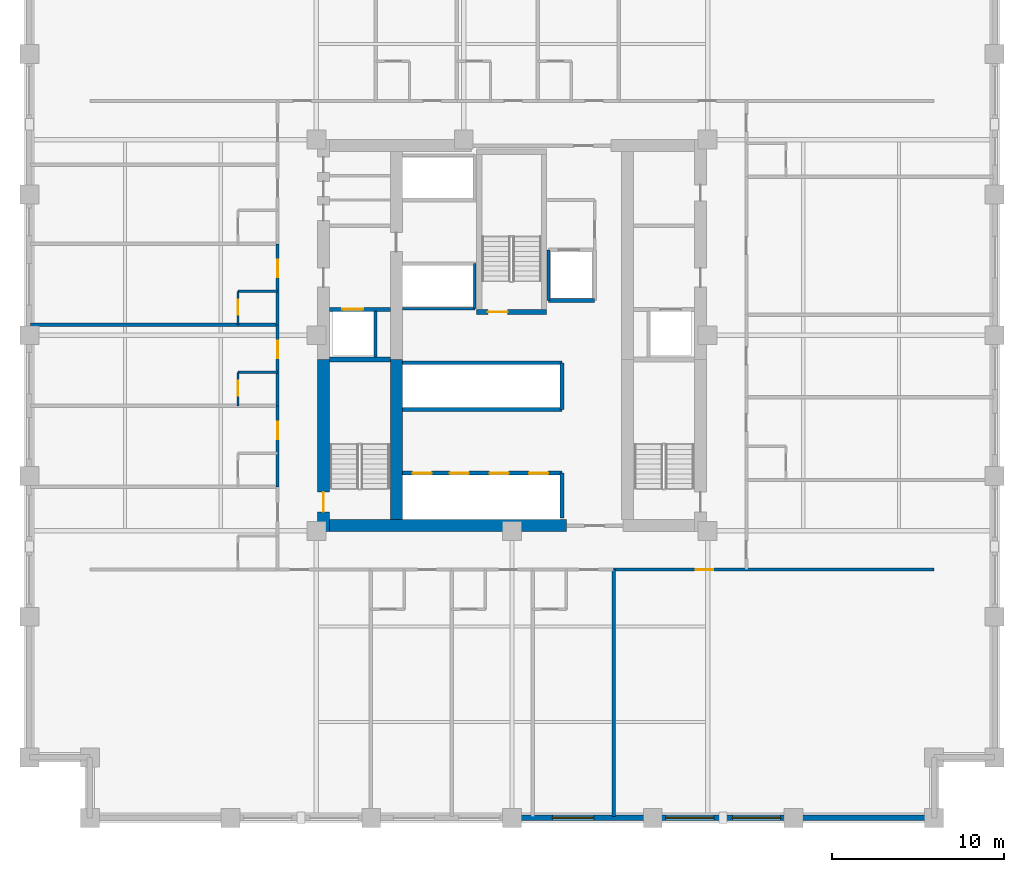
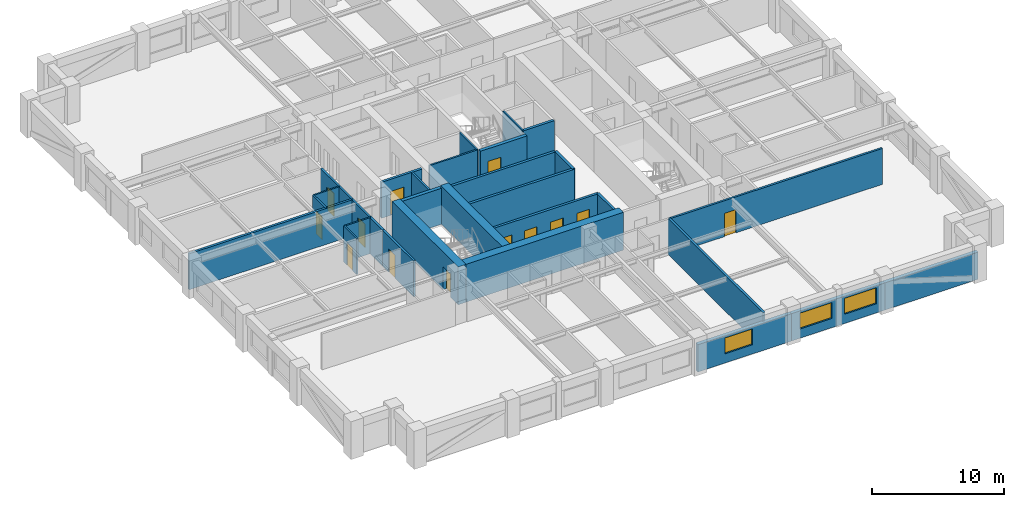
# One storey, part 3 of 8: 29 walls, 13 doors, 3 windows, 16 openings.
"""IFC4 building model written with IfcOpenShell, lengths in metres."""

from ifc_helpers import new_model, si_unit, direction, frame, frame_2d, origin, place, context, subcontext, project, spatial, rectangle, extrude, material, layer, layer_set, type_object, element, fill, save


model = new_model("IFC4")

# Units and contexts
model_context = context("Model", 3, precision=1e-05, world=origin(), true_north=direction((0.0, 1.0)))
body_context = subcontext(model_context, "Body", "Model", "MODEL_VIEW")
ifc_project = project(units=[si_unit("LENGTHUNIT", "METRE"), si_unit("AREAUNIT", "SQUARE_METRE"), si_unit("VOLUMEUNIT", "CUBIC_METRE"), si_unit("PLANEANGLEUNIT", "RADIAN"), si_unit("MASSUNIT", "GRAM", prefix="KILO")], contexts=[model_context])

# Site, building, storey
site_placement = place(None, origin())
site = spatial("IfcSite", under=ifc_project, at=site_placement, CompositionType="ELEMENT")
building_placement = place(site_placement, origin())
building = spatial("IfcBuilding", under=site, at=building_placement, Name="Nhamokura Convention Tower", CompositionType="ELEMENT")
storey_placement = place(building_placement, frame((0.0, 0.0, 45.85009765625)))
storey = spatial("IfcBuildingStorey", under=building, at=storey_placement, Name="L09", CompositionType="ELEMENT", Elevation=45.85009765625)

# Wall
ifc_material_1 = material(Name="Moisture-resistant tile-backer partition", Category="masonry")
ifc_layer_1 = layer(ifc_material_1, 0.139892578125)
ifc_layer_set_1 = layer_set([ifc_layer_1], Name="BathroomWetWall_140")
wall_type_1 = type_object("IfcWallType", Name="BathroomWetWall_140", PredefinedType="STANDARD", material=ifc_layer_set_1)
wall_1_placement = place(storey_placement, frame((16.10009765625, 29.85009765625, 0.0), z_axis=(0.0, 0.0, 1.0), x_axis=(1.0, 0.0, 0.0)))
element("IfcWall", 1, at=wall_1_placement, inside=storey, type_object=wall_type_1, Name="L09 Wall INT-L09-BW-W02N", PredefinedType="STANDARD", context=body_context, shape_type="SweptSolid", body=[
    extrude(rectangle(XDim=2.2998046875, YDim=0.139892578125, at=frame_2d((1.14990234375, 0.0))), origin(), (0.0, 0.0, 1.0), 3.31982421875),
])

# Wall, opening, door
wall_2_placement = place(storey_placement, frame((16.10009765625, 27.89990234375, 0.0), z_axis=(0.0, 0.0, 1.0), x_axis=(0.0, 1.0, 0.0)))
wall_2 = element("IfcWall", 2, at=wall_2_placement, inside=storey, type_object=wall_type_1, Name="L09 Wall INT-L09-BW-W02W", PredefinedType="STANDARD", context=body_context, shape_type="SweptSolid", body=[
    extrude(rectangle(XDim=1.9501953125, YDim=0.139892578125, at=frame_2d((0.97509765625, 0.0))), origin(), (0.0, 0.0, 1.0), 3.31982421875),
])
opening_1_placement = place(wall_2_placement, frame((0.580078125, 0.0, 0.0)))
opening_1 = element("IfcOpeningElement", 3, at=opening_1_placement, cuts=wall_2, Name="Opening D-11", PredefinedType="OPENING", context=body_context, shape_type="SweptSolid", body=[
    extrude(rectangle(XDim=0.8798828125, YDim=2.10009765625, at=frame_2d((0.43994140625, 1.050048828125))), frame((0.0, 0.079833984375, 0.0), z_axis=(0.0, -1.0, 0.0), x_axis=(1.0, 0.0, 0.0)), (0.0, 0.0, 1.0), 0.159912109375),
])
ifc_material_2 = material(Name="Solid oak hardwood", Category="wood")
door_type_1 = type_object("IfcDoorType", Name="BathroomDoor_880", OperationType="NOTDEFINED", PredefinedType="DOOR", material=ifc_material_2)
door_1_placement = place(opening_1_placement, origin())
door_1 = element("IfcDoor", 4, at=door_1_placement, inside=storey, type_object=door_type_1, Name="L09 Guest Room En-suite Door", OperationType="SINGLE_SWING_RIGHT", OverallHeight=2.10009765625, OverallWidth=0.8798828125, PredefinedType="DOOR", context=body_context, shape_type="SweptSolid", body=[
    extrude(rectangle(XDim=0.8798828125, YDim=2.10009765625, at=frame_2d((0.43994140625, 1.050048828125))), frame((0.0, 0.02490234375, 0.0), z_axis=(0.0, -1.0, 0.0), x_axis=(1.0, 0.0, 0.0)), (0.0, 0.0, 1.0), 0.050048828125),
])
fill(opening_1, door_1)

# Wall
wall_3_placement = place(storey_placement, frame((16.10009765625, 34.550048828125, 0.0), z_axis=(0.0, 0.0, 1.0), x_axis=(1.0, 0.0, 0.0)))
element("IfcWall", 5, at=wall_3_placement, inside=storey, type_object=wall_type_1, Name="L09 Wall INT-L09-BW-W03N", PredefinedType="STANDARD", context=body_context, shape_type="SweptSolid", body=[
    extrude(rectangle(XDim=2.2998046875, YDim=0.139892578125, at=frame_2d((1.14990234375, 0.0))), origin(), (0.0, 0.0, 1.0), 3.31982421875),
])

# Wall, opening, door
wall_4_placement = place(storey_placement, frame((16.10009765625, 32.60009765625, 0.0), z_axis=(0.0, 0.0, 1.0), x_axis=(0.0, 1.0, 0.0)))
wall_4 = element("IfcWall", 6, at=wall_4_placement, inside=storey, type_object=wall_type_1, Name="L09 Wall INT-L09-BW-W03W", PredefinedType="STANDARD", context=body_context, shape_type="SweptSolid", body=[
    extrude(rectangle(XDim=1.949951171875, YDim=0.139892578125, at=frame_2d((0.97509765625, 0.0))), origin(), (0.0, 0.0, 1.0), 3.31982421875),
])
opening_2_placement = place(wall_4_placement, frame((0.580078125, 0.0, 0.0)))
opening_2 = element("IfcOpeningElement", 7, at=opening_2_placement, cuts=wall_4, Name="Opening D-11", PredefinedType="OPENING", context=body_context, shape_type="SweptSolid", body=[
    extrude(rectangle(XDim=0.8798828125, YDim=2.10009765625, at=frame_2d((0.43994140625, 1.050048828125))), frame((0.0, 0.079833984375, 0.0), z_axis=(0.0, -1.0, 0.0), x_axis=(1.0, 0.0, 0.0)), (0.0, 0.0, 1.0), 0.159912109375),
])
door_2_placement = place(opening_2_placement, origin())
door_2 = element("IfcDoor", 8, at=door_2_placement, inside=storey, type_object=door_type_1, Name="L09 Club Room En-suite Door", OperationType="SINGLE_SWING_RIGHT", OverallHeight=2.10009765625, OverallWidth=0.8798828125, PredefinedType="DOOR", context=body_context, shape_type="SweptSolid", body=[
    extrude(rectangle(XDim=0.8798828125, YDim=2.10009765625, at=frame_2d((0.43994140625, 1.050048828125))), frame((0.0, 0.02490234375, 0.0), z_axis=(0.0, -1.0, 0.0), x_axis=(1.0, 0.0, 0.0)), (0.0, 0.0, 1.0), 0.050048828125),
])
fill(opening_2, door_2)

# Wall, opening, window
ifc_material_3 = material(Name="Bronze-pigmented precast concrete C45/55", Category="concrete")
ifc_layer_2 = layer(ifc_material_3, 0.320068359375)
ifc_layer_set_2 = layer_set([ifc_layer_2], Name="BronzePrecastSpandrel_320")
wall_type_2 = type_object("IfcWallType", Name="BronzePrecastSpandrel_320", PredefinedType="USERDEFINED", material=ifc_layer_set_2)
wall_5_placement = place(storey_placement, frame((40.166748046875, 4.0, 0.0), z_axis=(0.0, 0.0, 1.0), x_axis=(-1.0, 0.0, 0.0)))
wall_5 = element("IfcWall", 9, at=wall_5_placement, inside=storey, type_object=wall_type_2, Name="L09 Masonry-Frame Wall SOUTH 3", ObjectType="SPANDREL_WALL", PredefinedType="USERDEFINED", context=body_context, shape_type="SweptSolid", body=[
    extrude(rectangle(XDim=8.166748046875, YDim=0.320068359375, at=frame_2d((4.08349609375, 0.0))), origin(), (0.0, 0.0, 1.0), 2.52001953125),
])
opening_3_placement = place(wall_5_placement, frame((3.416748046875, 0.0, 0.85009765625)))
opening_3 = element("IfcOpeningElement", 10, at=opening_3_placement, cuts=wall_5, Name="Opening W-03", PredefinedType="OPENING", context=body_context, shape_type="SweptSolid", body=[
    extrude(rectangle(XDim=2.39990234375, YDim=1.469970703125, at=frame_2d((1.199951171875, 0.73486328125))), frame((0.0, 0.169921875, 0.0), z_axis=(0.0, -1.0, 0.0), x_axis=(1.0, 0.0, 0.0)), (0.0, 0.0, 1.0), 0.340087890625),
])
ifc_material_4 = material(Name="Solar-control bronze low-E double glass", Category="glass")
window_type_1 = type_object("IfcWindowType", Name="HotelBayWindow_2400", PartitioningType="DOUBLE_PANEL_VERTICAL", PredefinedType="WINDOW", material=ifc_material_4)
window_1_placement = place(opening_3_placement, origin())
window_1 = element("IfcWindow", 11, at=window_1_placement, inside=storey, type_object=window_type_1, Name="L09 Facade Window SOUTH 3-2", OverallHeight=1.469970703125, OverallWidth=2.39990234375, PartitioningType="SINGLE_PANEL", PredefinedType="WINDOW", context=body_context, shape_type="SweptSolid", body=[
    extrude(rectangle(XDim=2.39990234375, YDim=1.469970703125, at=frame_2d((1.199951171875, 0.73486328125))), frame((0.0, 0.030029296875, 0.0), z_axis=(0.0, -1.0, 0.0), x_axis=(1.0, 0.0, 0.0)), (0.0, 0.0, 1.0), 0.06005859375),
])
fill(opening_3, window_1)

# Wall, openings, windows
wall_6_placement = place(storey_placement, frame((48.333251953125, 4.0, 0.0), z_axis=(0.0, 0.0, 1.0), x_axis=(-1.0, 0.0, 0.0)))
wall_6 = element("IfcWall", 12, at=wall_6_placement, inside=storey, type_object=wall_type_2, Name="L09 Masonry-Frame Wall SOUTH 4", ObjectType="SPANDREL_WALL", PredefinedType="USERDEFINED", context=body_context, shape_type="SweptSolid", body=[
    extrude(rectangle(XDim=8.16650390625, YDim=0.320068359375, at=frame_2d((4.083251953125, 0.0))), origin(), (0.0, 0.0, 1.0), 2.52001953125),
])
opening_4_placement = place(wall_6_placement, frame((0.74169921875, 0.0, 0.85009765625)))
opening_4 = element("IfcOpeningElement", 13, at=opening_4_placement, cuts=wall_6, Name="Opening W-04", PredefinedType="OPENING", context=body_context, shape_type="SweptSolid", body=[
    extrude(rectangle(XDim=2.800048828125, YDim=1.469970703125, at=frame_2d((1.39990234375, 0.73486328125))), frame((0.0, 0.169921875, 0.0), z_axis=(0.0, -1.0, 0.0), x_axis=(1.0, 0.0, 0.0)), (0.0, 0.0, 1.0), 0.340087890625),
])
opening_5_placement = place(wall_6_placement, frame((4.625, 0.0, 0.85009765625)))
opening_5 = element("IfcOpeningElement", 14, at=opening_5_placement, cuts=wall_6, Name="Opening W-04", PredefinedType="OPENING", context=body_context, shape_type="SweptSolid", body=[
    extrude(rectangle(XDim=2.800048828125, YDim=1.469970703125, at=frame_2d((1.39990234375, 0.73486328125))), frame((0.0, 0.169921875, 0.0), z_axis=(0.0, -1.0, 0.0), x_axis=(1.0, 0.0, 0.0)), (0.0, 0.0, 1.0), 0.340087890625),
])
ifc_material_5 = material(Name="Solar-control bronze low-E double glass", Category="glass")
window_type_2 = type_object("IfcWindowType", Name="HotelSuiteWindow_2800", PartitioningType="DOUBLE_PANEL_VERTICAL", PredefinedType="WINDOW", material=ifc_material_5)
window_2_placement = place(opening_4_placement, origin())
window_2 = element("IfcWindow", 15, at=window_2_placement, inside=storey, type_object=window_type_2, Name="L09 Facade Window SOUTH 4-1", OverallHeight=1.469970703125, OverallWidth=2.800048828125, PartitioningType="SINGLE_PANEL", PredefinedType="WINDOW", context=body_context, shape_type="SweptSolid", body=[
    extrude(rectangle(XDim=2.800048828125, YDim=1.469970703125, at=frame_2d((1.39990234375, 0.73486328125))), frame((0.0, 0.030029296875, 0.0), z_axis=(0.0, -1.0, 0.0), x_axis=(1.0, 0.0, 0.0)), (0.0, 0.0, 1.0), 0.06005859375),
])
fill(opening_4, window_2)
window_3_placement = place(opening_5_placement, origin())
window_3 = element("IfcWindow", 16, at=window_3_placement, inside=storey, type_object=window_type_2, Name="L09 Facade Window SOUTH 4-2", OverallHeight=1.469970703125, OverallWidth=2.800048828125, PartitioningType="SINGLE_PANEL", PredefinedType="WINDOW", context=body_context, shape_type="SweptSolid", body=[
    extrude(rectangle(XDim=2.800048828125, YDim=1.469970703125, at=frame_2d((1.39990234375, 0.73486328125))), frame((0.0, 0.030029296875, 0.0), z_axis=(0.0, -1.0, 0.0), x_axis=(1.0, 0.0, 0.0)), (0.0, 0.0, 1.0), 0.06005859375),
])
fill(opening_5, window_3)

# Wall
wall_7_placement = place(storey_placement, frame((56.5, 4.0, 0.0), z_axis=(0.0, 0.0, 1.0), x_axis=(-1.0, 0.0, 0.0)))
element("IfcWall", 17, at=wall_7_placement, inside=storey, type_object=wall_type_2, Name="L09 Braced-Bay Precast Wall SOUTH 5", ObjectType="SPANDREL_WALL", PredefinedType="USERDEFINED", context=body_context, shape_type="SweptSolid", body=[
    extrude(rectangle(XDim=8.166748046875, YDim=0.320068359375, at=frame_2d((4.08349609375, 0.0))), origin(), (0.0, 0.0, 1.0), 2.52001953125),
])

# Wall, opening, door
ifc_material_6 = material(Name="Concrete C70/85", Category="concrete")
ifc_layer_3 = layer(ifc_material_6, 0.699951171875)
ifc_layer_set_3 = layer_set([ifc_layer_3], Name="CoreShearWall_700")
wall_type_3 = type_object("IfcWallType", Name="CoreShearWall_700", PredefinedType="SHEAR", material=ifc_layer_set_3)
wall_8_placement = place(storey_placement, frame((21.06005859375, 20.60009765625, 0.0), z_axis=(0.0, 0.0, 1.0), x_axis=(0.0, 1.0, 0.0)))
wall_8 = element("IfcWall", 18, at=wall_8_placement, inside=storey, type_object=wall_type_3, Name="L09 Core Shear Wall CW-WS", PredefinedType="SHEAR", context=body_context, shape_type="SweptSolid", body=[
    extrude(rectangle(XDim=10.0, YDim=0.699951171875, at=frame_2d((5.0, 0.0))), origin(), (0.0, 0.0, 1.0), 3.5),
])
opening_6_placement = place(wall_8_placement, frame((1.14990234375, 0.0, 0.0)))
opening_6 = element("IfcOpeningElement", 19, at=opening_6_placement, cuts=wall_8, Name="Opening D-04", PredefinedType="OPENING", context=body_context, shape_type="SweptSolid", body=[
    extrude(rectangle(XDim=1.14990234375, YDim=2.14990234375, at=frame_2d((0.574951171875, 1.074951171875))), frame((0.0, 0.35986328125, 0.0), z_axis=(0.0, -1.0, 0.0), x_axis=(1.0, 0.0, 0.0)), (0.0, 0.0, 1.0), 0.719970703125),
])
ifc_material_7 = material(Name="Fire-rated steel door", Category="steel")
door_type_2 = type_object("IfcDoorType", Name="StairSmokeDoor_1150", OperationType="NOTDEFINED", PredefinedType="DOOR", material=ifc_material_7)
door_3_placement = place(opening_6_placement, origin())
door_3 = element("IfcDoor", 20, at=door_3_placement, inside=storey, type_object=door_type_2, Name="L09 Core Door INT-L09-D-ST01", OperationType="SINGLE_SWING_LEFT", OverallHeight=2.14990234375, OverallWidth=1.14990234375, PredefinedType="DOOR", context=body_context, shape_type="SweptSolid", body=[
    extrude(rectangle(XDim=1.14990234375, YDim=2.14990234375, at=frame_2d((0.574951171875, 1.074951171875))), frame((0.0, 0.02490234375, 0.0), z_axis=(0.0, -1.0, 0.0), x_axis=(1.0, 0.0, 0.0)), (0.0, 0.0, 1.0), 0.050048828125),
])
fill(opening_6, door_3)

# Walls
wall_9_placement = place(storey_placement, frame((21.409912109375, 20.949951171875, 0.0), z_axis=(0.0, 0.0, 1.0), x_axis=(1.0, 0.0, 0.0)))
element("IfcWall", 21, at=wall_9_placement, inside=storey, type_object=wall_type_3, Name="L09 Core Shear Wall CW-S1", PredefinedType="SHEAR", context=body_context, shape_type="SweptSolid", body=[
    extrude(rectangle(XDim=13.739990234375, YDim=0.699951171875, at=frame_2d((6.8701171875, 0.0))), origin(), (0.0, 0.0, 1.0), 3.5),
])
wall_10_placement = place(storey_placement, frame((25.2900390625, 21.300048828125, 0.0), z_axis=(0.0, 0.0, 1.0), x_axis=(0.0, 1.0, 0.0)))
element("IfcWall", 22, at=wall_10_placement, inside=storey, type_object=wall_type_3, Name="L09 Core Shear Wall CW-IWS", PredefinedType="SHEAR", context=body_context, shape_type="SweptSolid", body=[
    extrude(rectangle(XDim=9.300048828125, YDim=0.699951171875, at=frame_2d((4.64990234375, 0.0))), origin(), (0.0, 0.0, 1.0), 3.5),
])

# Wall, opening, door
ifc_material_8 = material(Name="Fire-rated gypsum and masonry partition", Category="masonry")
ifc_layer_4 = layer(ifc_material_8, 0.179931640625)
ifc_layer_set_4 = layer_set([ifc_layer_4], Name="CorridorRatedWall_180")
wall_type_4 = type_object("IfcWallType", Name="CorridorRatedWall_180", PredefinedType="STANDARD", material=ifc_layer_set_4)
wall_11_placement = place(storey_placement, frame((37.89990234375, 18.39990234375, 0.0), z_axis=(0.0, 0.0, 1.0), x_axis=(1.0, 0.0, 0.0)))
wall_11 = element("IfcWall", 23, at=wall_11_placement, inside=storey, type_object=wall_type_4, Name="L09 Wall INT-L09-CW-S04", PredefinedType="STANDARD", context=body_context, shape_type="SweptSolid", body=[
    extrude(rectangle(XDim=18.60009765625, YDim=0.179931640625, at=frame_2d((9.300048828125, 0.0))), origin(), (0.0, 0.0, 1.0), 3.31982421875),
])
opening_7_placement = place(wall_11_placement, frame((4.77490234375, 0.0, 0.0)))
opening_7 = element("IfcOpeningElement", 24, at=opening_7_placement, cuts=wall_11, Name="Opening D-07", PredefinedType="OPENING", context=body_context, shape_type="SweptSolid", body=[
    extrude(rectangle(XDim=1.0, YDim=2.14990234375, at=frame_2d((0.5, 1.074951171875))), frame((0.0, 0.099853515625, 0.0), z_axis=(0.0, -1.0, 0.0), x_axis=(1.0, 0.0, 0.0)), (0.0, 0.0, 1.0), 0.199951171875),
])
ifc_material_9 = material(Name="Solid oak hardwood", Category="wood")
door_type_3 = type_object("IfcDoorType", Name="HotelSuiteEntryDoor_1000", OperationType="NOTDEFINED", PredefinedType="DOOR", material=ifc_material_9)
door_4_placement = place(opening_7_placement, origin())
door_4 = element("IfcDoor", 25, at=door_4_placement, inside=storey, type_object=door_type_3, Name="L09 Conference Salon S05 Door", OperationType="SINGLE_SWING_LEFT", OverallHeight=2.14990234375, OverallWidth=1.0, PredefinedType="DOOR", context=body_context, shape_type="SweptSolid", body=[
    extrude(rectangle(XDim=1.0, YDim=2.14990234375, at=frame_2d((0.5, 1.074951171875))), frame((0.0, 0.02490234375, 0.0), z_axis=(0.0, -1.0, 0.0), x_axis=(1.0, 0.0, 0.0)), (0.0, 0.0, 1.0), 0.050048828125),
])
fill(opening_7, door_4)

wall_12_placement = place(storey_placement, frame((18.39990234375, 23.199951171875, 0.0), z_axis=(0.0, 0.0, 1.0), x_axis=(0.0, 1.0, 0.0)))
wall_12 = element("IfcWall", 26, at=wall_12_placement, inside=storey, type_object=wall_type_4, Name="L09 Wall INT-L09-CW-W01", PredefinedType="STANDARD", context=body_context, shape_type="SweptSolid", body=[
    extrude(rectangle(XDim=4.699951171875, YDim=0.179931640625, at=frame_2d((2.35009765625, 0.0))), origin(), (0.0, 0.0, 1.0), 3.31982421875),
])
opening_8_placement = place(wall_12_placement, frame((2.77490234375, 0.0, 0.0)))
opening_8 = element("IfcOpeningElement", 27, at=opening_8_placement, cuts=wall_12, Name="Opening D-07", PredefinedType="OPENING", context=body_context, shape_type="SweptSolid", body=[
    extrude(rectangle(XDim=1.0, YDim=2.14990234375, at=frame_2d((0.5, 1.074951171875))), frame((0.0, 0.099853515625, 0.0), z_axis=(0.0, -1.0, 0.0), x_axis=(1.0, 0.0, 0.0)), (0.0, 0.0, 1.0), 0.199951171875),
])
door_5_placement = place(opening_8_placement, origin())
door_5 = element("IfcDoor", 28, at=door_5_placement, inside=storey, type_object=door_type_3, Name="L09 Club Room W02 Door", OperationType="SINGLE_SWING_RIGHT", OverallHeight=2.14990234375, OverallWidth=1.0, PredefinedType="DOOR", context=body_context, shape_type="SweptSolid", body=[
    extrude(rectangle(XDim=1.0, YDim=2.14990234375, at=frame_2d((0.5, 1.074951171875))), frame((0.0, 0.02490234375, 0.0), z_axis=(0.0, -1.0, 0.0), x_axis=(1.0, 0.0, 0.0)), (0.0, 0.0, 1.0), 0.050048828125),
])
fill(opening_8, door_5)

wall_13_placement = place(storey_placement, frame((18.39990234375, 27.89990234375, 0.0), z_axis=(0.0, 0.0, 1.0), x_axis=(0.0, 1.0, 0.0)))
wall_13 = element("IfcWall", 29, at=wall_13_placement, inside=storey, type_object=wall_type_4, Name="L09 Wall INT-L09-CW-W02", PredefinedType="STANDARD", context=body_context, shape_type="SweptSolid", body=[
    extrude(rectangle(XDim=4.7001953125, YDim=0.179931640625, at=frame_2d((2.35009765625, 0.0))), origin(), (0.0, 0.0, 1.0), 3.31982421875),
])
opening_9_placement = place(wall_13_placement, frame((2.77490234375, 0.0, 0.0)))
opening_9 = element("IfcOpeningElement", 30, at=opening_9_placement, cuts=wall_13, Name="Opening D-07", PredefinedType="OPENING", context=body_context, shape_type="SweptSolid", body=[
    extrude(rectangle(XDim=1.0, YDim=2.14990234375, at=frame_2d((0.5, 1.074951171875))), frame((0.0, 0.099853515625, 0.0), z_axis=(0.0, -1.0, 0.0), x_axis=(1.0, 0.0, 0.0)), (0.0, 0.0, 1.0), 0.199951171875),
])
door_6_placement = place(opening_9_placement, origin())
door_6 = element("IfcDoor", 31, at=door_6_placement, inside=storey, type_object=door_type_3, Name="L09 Guest Room W03 Door", OperationType="SINGLE_SWING_LEFT", OverallHeight=2.14990234375, OverallWidth=1.0, PredefinedType="DOOR", context=body_context, shape_type="SweptSolid", body=[
    extrude(rectangle(XDim=1.0, YDim=2.14990234375, at=frame_2d((0.5, 1.074951171875))), frame((0.0, 0.02490234375, 0.0), z_axis=(0.0, -1.0, 0.0), x_axis=(1.0, 0.0, 0.0)), (0.0, 0.0, 1.0), 0.050048828125),
])
fill(opening_9, door_6)

wall_14_placement = place(storey_placement, frame((18.39990234375, 32.60009765625, 0.0), z_axis=(0.0, 0.0, 1.0), x_axis=(0.0, 1.0, 0.0)))
wall_14 = element("IfcWall", 32, at=wall_14_placement, inside=storey, type_object=wall_type_4, Name="L09 Wall INT-L09-CW-W03", PredefinedType="STANDARD", context=body_context, shape_type="SweptSolid", body=[
    extrude(rectangle(XDim=4.699951171875, YDim=0.179931640625, at=frame_2d((2.35009765625, 0.0))), origin(), (0.0, 0.0, 1.0), 3.31982421875),
])
opening_10_placement = place(wall_14_placement, frame((2.77490234375, 0.0, 0.0)))
opening_10 = element("IfcOpeningElement", 33, at=opening_10_placement, cuts=wall_14, Name="Opening D-07", PredefinedType="OPENING", context=body_context, shape_type="SweptSolid", body=[
    extrude(rectangle(XDim=1.0, YDim=2.14990234375, at=frame_2d((0.5, 1.074951171875))), frame((0.0, 0.099853515625, 0.0), z_axis=(0.0, -1.0, 0.0), x_axis=(1.0, 0.0, 0.0)), (0.0, 0.0, 1.0), 0.199951171875),
])
door_7_placement = place(opening_10_placement, origin())
door_7 = element("IfcDoor", 34, at=door_7_placement, inside=storey, type_object=door_type_3, Name="L09 Club Room W04 Door", OperationType="SINGLE_SWING_RIGHT", OverallHeight=2.14990234375, OverallWidth=1.0, PredefinedType="DOOR", context=body_context, shape_type="SweptSolid", body=[
    extrude(rectangle(XDim=1.0, YDim=2.14990234375, at=frame_2d((0.5, 1.074951171875))), frame((0.0, 0.02490234375, 0.0), z_axis=(0.0, -1.0, 0.0), x_axis=(1.0, 0.0, 0.0)), (0.0, 0.0, 1.0), 0.050048828125),
])
fill(opening_10, door_7)

ifc_material_10 = material(Name="Autoclaved concrete blockwork", Category="masonry")
ifc_layer_5 = layer(ifc_material_10, 0.219970703125)
ifc_layer_set_5 = layer_set([ifc_layer_5], Name="FireLobbyWall_220")
wall_type_5 = type_object("IfcWallType", Name="FireLobbyWall_220", PredefinedType="STANDARD", material=ifc_layer_set_5)
wall_15_placement = place(storey_placement, frame((21.409912109375, 33.5, 0.0), z_axis=(0.0, 0.0, 1.0), x_axis=(1.0, 0.0, 0.0)))
wall_15 = element("IfcWall", 35, at=wall_15_placement, inside=storey, type_object=wall_type_5, Name="L09 Wall INT-L09-FFW-S", PredefinedType="STANDARD", context=body_context, shape_type="SweptSolid", body=[
    extrude(rectangle(XDim=3.530029296875, YDim=0.219970703125, at=frame_2d((1.76513671875, 0.0))), origin(), (0.0, 0.0, 1.0), 3.31982421875),
])
opening_11_placement = place(wall_15_placement, frame((0.75, 0.0, 0.0)))
opening_11 = element("IfcOpeningElement", 36, at=opening_11_placement, cuts=wall_15, Name="Opening LD-02", PredefinedType="OPENING", context=body_context, shape_type="SweptSolid", body=[
    extrude(rectangle(XDim=1.199951171875, YDim=2.199951171875, at=frame_2d((0.60009765625, 1.10009765625))), frame((0.0, 0.119873046875, 0.0), z_axis=(0.0, -1.0, 0.0), x_axis=(1.0, 0.0, 0.0)), (0.0, 0.0, 1.0), 0.239990234375),
])
ifc_material_11 = material(Name="Anodised bronze stainless steel", Category="steel")
door_type_4 = type_object("IfcDoorType", Name="LiftLandingDoor_FireService", OperationType="DOUBLE_DOOR_SLIDING", PredefinedType="DOOR", material=ifc_material_11)
door_8_placement = place(opening_11_placement, origin())
door_8 = element("IfcDoor", 37, at=door_8_placement, inside=storey, type_object=door_type_4, Name="L09 Firefighting Lift LF-01 Door", OperationType="DOUBLE_DOOR_SLIDING", OverallHeight=2.199951171875, OverallWidth=1.199951171875, PredefinedType="DOOR", context=body_context, shape_type="SweptSolid", body=[
    extrude(rectangle(XDim=1.199951171875, YDim=2.199951171875, at=frame_2d((0.60009765625, 1.10009765625))), frame((0.0, 0.02490234375, 0.0), z_axis=(0.0, -1.0, 0.0), x_axis=(1.0, 0.0, 0.0)), (0.0, 0.0, 1.0), 0.050048828125),
])
fill(opening_11, door_8)

# Wall, openings, doors
wall_16_placement = place(storey_placement, frame((25.64990234375, 24.0, 0.0), z_axis=(0.0, 0.0, 1.0), x_axis=(1.0, 0.0, 0.0)))
wall_16 = element("IfcWall", 38, at=wall_16_placement, inside=storey, type_object=wall_type_5, Name="L09 Wall INT-L09-B1N", PredefinedType="STANDARD", context=body_context, shape_type="SweptSolid", body=[
    extrude(rectangle(XDim=9.25, YDim=0.219970703125, at=frame_2d((4.625, 0.0))), origin(), (0.0, 0.0, 1.0), 3.31982421875),
])
opening_12_placement = place(wall_16_placement, frame((0.580078125, 0.0, 0.0)))
opening_12 = element("IfcOpeningElement", 39, at=opening_12_placement, cuts=wall_16, Name="Opening LD-01", PredefinedType="OPENING", context=body_context, shape_type="SweptSolid", body=[
    extrude(rectangle(XDim=1.10009765625, YDim=2.14990234375, at=frame_2d((0.550048828125, 1.074951171875))), frame((0.0, 0.119873046875, 0.0), z_axis=(0.0, -1.0, 0.0), x_axis=(1.0, 0.0, 0.0)), (0.0, 0.0, 1.0), 0.239990234375),
])
opening_13_placement = place(wall_16_placement, frame((2.75, 0.0, 0.0)))
opening_13 = element("IfcOpeningElement", 40, at=opening_13_placement, cuts=wall_16, Name="Opening LD-01", PredefinedType="OPENING", context=body_context, shape_type="SweptSolid", body=[
    extrude(rectangle(XDim=1.10009765625, YDim=2.14990234375, at=frame_2d((0.550048828125, 1.074951171875))), frame((0.0, 0.119873046875, 0.0), z_axis=(0.0, -1.0, 0.0), x_axis=(1.0, 0.0, 0.0)), (0.0, 0.0, 1.0), 0.239990234375),
])
opening_14_placement = place(wall_16_placement, frame((5.050048828125, 0.0, 0.0)))
opening_14 = element("IfcOpeningElement", 41, at=opening_14_placement, cuts=wall_16, Name="Opening LD-01", PredefinedType="OPENING", context=body_context, shape_type="SweptSolid", body=[
    extrude(rectangle(XDim=1.10009765625, YDim=2.14990234375, at=frame_2d((0.550048828125, 1.074951171875))), frame((0.0, 0.119873046875, 0.0), z_axis=(0.0, -1.0, 0.0), x_axis=(1.0, 0.0, 0.0)), (0.0, 0.0, 1.0), 0.239990234375),
])
opening_15_placement = place(wall_16_placement, frame((7.35009765625, 0.0, 0.0)))
opening_15 = element("IfcOpeningElement", 42, at=opening_15_placement, cuts=wall_16, Name="Opening LD-01", PredefinedType="OPENING", context=body_context, shape_type="SweptSolid", body=[
    extrude(rectangle(XDim=1.10009765625, YDim=2.14990234375, at=frame_2d((0.550048828125, 1.074951171875))), frame((0.0, 0.119873046875, 0.0), z_axis=(0.0, -1.0, 0.0), x_axis=(1.0, 0.0, 0.0)), (0.0, 0.0, 1.0), 0.239990234375),
])
ifc_material_12 = material(Name="Anodised bronze stainless steel", Category="steel")
door_type_5 = type_object("IfcDoorType", Name="LiftLandingDoor_Passenger", OperationType="DOUBLE_DOOR_SLIDING", PredefinedType="DOOR", material=ifc_material_12)
door_9_placement = place(opening_12_placement, origin())
door_9 = element("IfcDoor", 43, at=door_9_placement, inside=storey, type_object=door_type_5, Name="L09 Lift LP-01 Landing Door", OperationType="DOUBLE_DOOR_SLIDING", OverallHeight=2.14990234375, OverallWidth=1.10009765625, PredefinedType="DOOR", context=body_context, shape_type="SweptSolid", body=[
    extrude(rectangle(XDim=1.10009765625, YDim=2.14990234375, at=frame_2d((0.550048828125, 1.074951171875))), frame((0.0, 0.02490234375, 0.0), z_axis=(0.0, -1.0, 0.0), x_axis=(1.0, 0.0, 0.0)), (0.0, 0.0, 1.0), 0.050048828125),
])
fill(opening_12, door_9)
door_10_placement = place(opening_13_placement, origin())
door_10 = element("IfcDoor", 44, at=door_10_placement, inside=storey, type_object=door_type_5, Name="L09 Lift LP-02 Landing Door", OperationType="DOUBLE_DOOR_SLIDING", OverallHeight=2.14990234375, OverallWidth=1.10009765625, PredefinedType="DOOR", context=body_context, shape_type="SweptSolid", body=[
    extrude(rectangle(XDim=1.10009765625, YDim=2.14990234375, at=frame_2d((0.550048828125, 1.074951171875))), frame((0.0, 0.02490234375, 0.0), z_axis=(0.0, -1.0, 0.0), x_axis=(1.0, 0.0, 0.0)), (0.0, 0.0, 1.0), 0.050048828125),
])
fill(opening_13, door_10)
door_11_placement = place(opening_14_placement, origin())
door_11 = element("IfcDoor", 45, at=door_11_placement, inside=storey, type_object=door_type_5, Name="L09 Lift LP-03 Landing Door", OperationType="DOUBLE_DOOR_SLIDING", OverallHeight=2.14990234375, OverallWidth=1.10009765625, PredefinedType="DOOR", context=body_context, shape_type="SweptSolid", body=[
    extrude(rectangle(XDim=1.10009765625, YDim=2.14990234375, at=frame_2d((0.550048828125, 1.074951171875))), frame((0.0, 0.02490234375, 0.0), z_axis=(0.0, -1.0, 0.0), x_axis=(1.0, 0.0, 0.0)), (0.0, 0.0, 1.0), 0.050048828125),
])
fill(opening_14, door_11)
door_12_placement = place(opening_15_placement, origin())
door_12 = element("IfcDoor", 46, at=door_12_placement, inside=storey, type_object=door_type_5, Name="L09 Lift LP-04 Landing Door", OperationType="DOUBLE_DOOR_SLIDING", OverallHeight=2.14990234375, OverallWidth=1.10009765625, PredefinedType="DOOR", context=body_context, shape_type="SweptSolid", body=[
    extrude(rectangle(XDim=1.10009765625, YDim=2.14990234375, at=frame_2d((0.550048828125, 1.074951171875))), frame((0.0, 0.02490234375, 0.0), z_axis=(0.0, -1.0, 0.0), x_axis=(1.0, 0.0, 0.0)), (0.0, 0.0, 1.0), 0.050048828125),
])
fill(opening_15, door_12)

# Walls
wall_17_placement = place(storey_placement, frame((34.89990234375, 21.39990234375, 0.0), z_axis=(0.0, 0.0, 1.0), x_axis=(0.0, 1.0, 0.0)))
element("IfcWall", 47, at=wall_17_placement, inside=storey, type_object=wall_type_5, Name="L09 Wall INT-L09-B1E", PredefinedType="STANDARD", context=body_context, shape_type="SweptSolid", body=[
    extrude(rectangle(XDim=2.60009765625, YDim=0.219970703125, at=frame_2d((1.300048828125, 0.0))), origin(), (0.0, 0.0, 1.0), 3.31982421875),
])
for number, where, z_axis, x_axis, name in (
    (48, (25.64990234375, 27.699951171875, 0.0), (0.0, 0.0, 1.0), (1.0, 0.0, 0.0), "L09 Wall INT-L09-B2S"),
    (49, (25.64990234375, 30.39990234375, 0.0), (0.0, 0.0, 1.0), (1.0, 0.0, 0.0), "L09 Wall INT-L09-B2N"),
):
    element("IfcWall", number, at=place(storey_placement, frame(where, z_axis=z_axis, x_axis=x_axis)), inside=storey, type_object=wall_type_5, Name=name, PredefinedType="STANDARD", context=body_context, shape_type="SweptSolid", body=[
        extrude(rectangle(XDim=9.25, YDim=0.219970703125, at=frame_2d((4.625, 0.0))), origin(), (0.0, 0.0, 1.0), 3.31982421875),
    ])
wall_18_placement = place(storey_placement, frame((34.89990234375, 27.699951171875, 0.0), z_axis=(0.0, 0.0, 1.0), x_axis=(0.0, 1.0, 0.0)))
element("IfcWall", 50, at=wall_18_placement, inside=storey, type_object=wall_type_5, Name="L09 Wall INT-L09-B2E", PredefinedType="STANDARD", context=body_context, shape_type="SweptSolid", body=[
    extrude(rectangle(XDim=2.699951171875, YDim=0.219970703125, at=frame_2d((1.35009765625, 0.0))), origin(), (0.0, 0.0, 1.0), 3.31982421875),
])
wall_19_placement = place(storey_placement, frame((34.1201171875, 34.02001953125, 0.0), z_axis=(0.0, 0.0, 1.0), x_axis=(1.0, 0.0, 0.0)))
element("IfcWall", 51, at=wall_19_placement, inside=storey, type_object=wall_type_5, Name="L09 Wall INT-L09-LSS", PredefinedType="STANDARD", context=body_context, shape_type="SweptSolid", body=[
    extrude(rectangle(XDim=2.679931640625, YDim=0.219970703125, at=frame_2d((1.33984375, 0.0))), origin(), (0.0, 0.0, 1.0), 3.31982421875),
])
ifc_material_13 = material(Name="Acoustic twin-stud gypsum partition", Category="masonry")
ifc_layer_6 = layer(ifc_material_13, 0.199951171875)
ifc_layer_set_6 = layer_set([ifc_layer_6], Name="HotelDemisingWall_200")
wall_type_6 = type_object("IfcWallType", Name="HotelDemisingWall_200", PredefinedType="STANDARD", material=ifc_layer_set_6)
for number, where, z_axis, x_axis, name in (
    (52, (37.89990234375, 4.06005859375, 0.0), (0.0, 0.0, 1.0), (0.0, 1.0, 0.0), "L09 Wall INT-L09-RW-S04"),
    (53, (4.06005859375, 32.60009765625, 0.0), (0.0, 0.0, 1.0), (1.0, 0.0, 0.0), "L09 Wall INT-L09-RW-W03"),
):
    element("IfcWall", number, at=place(storey_placement, frame(where, z_axis=z_axis, x_axis=x_axis)), inside=storey, type_object=wall_type_6, Name=name, PredefinedType="STANDARD", context=body_context, shape_type="SweptSolid", body=[
        extrude(rectangle(XDim=14.33984375, YDim=0.199951171875, at=frame_2d((7.169921875, 0.0))), origin(), (0.0, 0.0, 1.0), 3.31982421875),
    ])
ifc_material_14 = material(Name="Acoustic gypsum stud partition", Category="masonry")
ifc_layer_7 = layer(ifc_material_14, 0.14990234375)
ifc_layer_set_7 = layer_set([ifc_layer_7], Name="InteriorPartition_150")
wall_type_7 = type_object("IfcWallType", Name="InteriorPartition_150", PredefinedType="STANDARD", material=ifc_layer_set_7)
wall_20_placement = place(storey_placement, frame((24.080078125, 30.75, 0.0), z_axis=(0.0, 0.0, 1.0), x_axis=(0.0, 1.0, 0.0)))
element("IfcWall", 54, at=wall_20_placement, inside=storey, type_object=wall_type_7, Name="L09 Wall INT-L09-FF1-E", PredefinedType="STANDARD", context=body_context, shape_type="SweptSolid", body=[
    extrude(rectangle(XDim=2.64990234375, YDim=0.14990234375, at=frame_2d((1.324951171875, 0.0))), origin(), (0.0, 0.0, 1.0), 3.31982421875),
])
wall_21_placement = place(storey_placement, frame((25.64990234375, 33.550048828125, 0.0), z_axis=(0.0, 0.0, 1.0), x_axis=(1.0, 0.0, 0.0)))
element("IfcWall", 55, at=wall_21_placement, inside=storey, type_object=wall_type_7, Name="L09 Wall INT-L09-B3A-S", PredefinedType="STANDARD", context=body_context, shape_type="SweptSolid", body=[
    extrude(rectangle(XDim=4.2001953125, YDim=0.14990234375, at=frame_2d((2.10009765625, 0.0))), origin(), (0.0, 0.0, 1.0), 3.31982421875),
])
wall_22_placement = place(storey_placement, frame((29.85009765625, 33.550048828125, 0.0), z_axis=(0.0, 0.0, 1.0), x_axis=(0.0, 1.0, 0.0)))
element("IfcWall", 56, at=wall_22_placement, inside=storey, type_object=wall_type_7, Name="L09 Wall INT-L09-B3A-E", PredefinedType="STANDARD", context=body_context, shape_type="SweptSolid", body=[
    extrude(rectangle(XDim=2.599853515625, YDim=0.14990234375, at=frame_2d((1.2998046875, 0.0))), origin(), (0.0, 0.0, 1.0), 3.31982421875),
])
wall_23_placement = place(storey_placement, frame((34.1201171875, 34.02001953125, 0.0), z_axis=(0.0, 0.0, 1.0), x_axis=(0.0, 1.0, 0.0)))
element("IfcWall", 57, at=wall_23_placement, inside=storey, type_object=wall_type_7, Name="L09 Wall INT-L09-LSW", PredefinedType="STANDARD", context=body_context, shape_type="SweptSolid", body=[
    extrude(rectangle(XDim=2.929931640625, YDim=0.14990234375, at=frame_2d((1.46484375, 0.0))), origin(), (0.0, 0.0, 1.0), 3.31982421875),
])
ifc_material_15 = material(Name="Concrete C50/60", Category="concrete")
ifc_layer_8 = layer(ifc_material_15, 0.300048828125)
ifc_layer_set_8 = layer_set([ifc_layer_8], Name="ShaftEnclosureWall_300")
wall_type_8 = type_object("IfcWallType", Name="ShaftEnclosureWall_300", PredefinedType="SHEAR", material=ifc_layer_set_8)
wall_24_placement = place(storey_placement, frame((21.409912109375, 30.60009765625, 0.0), z_axis=(0.0, 0.0, 1.0), x_axis=(1.0, 0.0, 0.0)))
element("IfcWall", 58, at=wall_24_placement, inside=storey, type_object=wall_type_8, Name="L09 Wall INT-L09-ST01-N", PredefinedType="SHEAR", context=body_context, shape_type="SweptSolid", body=[
    extrude(rectangle(XDim=3.530029296875, YDim=0.300048828125, at=frame_2d((1.76513671875, 0.0))), origin(), (0.0, 0.0, 1.0), 3.31982421875),
])

# Wall, opening, door
wall_25_placement = place(storey_placement, frame((29.949951171875, 33.35009765625, 0.0), z_axis=(0.0, 0.0, 1.0), x_axis=(1.0, 0.0, 0.0)))
wall_25 = element("IfcWall", 59, at=wall_25_placement, inside=storey, type_object=wall_type_8, Name="L09 Wall INT-L09-ST03S", PredefinedType="SHEAR", context=body_context, shape_type="SweptSolid", body=[
    extrude(rectangle(XDim=4.050048828125, YDim=0.300048828125, at=frame_2d((2.02490234375, 0.0))), origin(), (0.0, 0.0, 1.0), 3.31982421875),
])
opening_16_placement = place(wall_25_placement, frame((0.64990234375, 0.0, 0.0)))
opening_16 = element("IfcOpeningElement", 60, at=opening_16_placement, cuts=wall_25, Name="Opening D-04", PredefinedType="OPENING", context=body_context, shape_type="SweptSolid", body=[
    extrude(rectangle(XDim=1.14990234375, YDim=2.14990234375, at=frame_2d((0.574951171875, 1.074951171875))), frame((0.0, 0.159912109375, 0.0), z_axis=(0.0, -1.0, 0.0), x_axis=(1.0, 0.0, 0.0)), (0.0, 0.0, 1.0), 0.320068359375),
])
door_13_placement = place(opening_16_placement, origin())
door_13 = element("IfcDoor", 61, at=door_13_placement, inside=storey, type_object=door_type_2, Name="L09 Stair ST-03 Smoke Door", OperationType="SINGLE_SWING_LEFT", OverallHeight=2.14990234375, OverallWidth=1.14990234375, PredefinedType="DOOR", context=body_context, shape_type="SweptSolid", body=[
    extrude(rectangle(XDim=1.14990234375, YDim=2.14990234375, at=frame_2d((0.574951171875, 1.074951171875))), frame((0.0, 0.02490234375, 0.0), z_axis=(0.0, -1.0, 0.0), x_axis=(1.0, 0.0, 0.0)), (0.0, 0.0, 1.0), 0.050048828125),
])
fill(opening_16, door_13)

save(model, "model.ifc")
